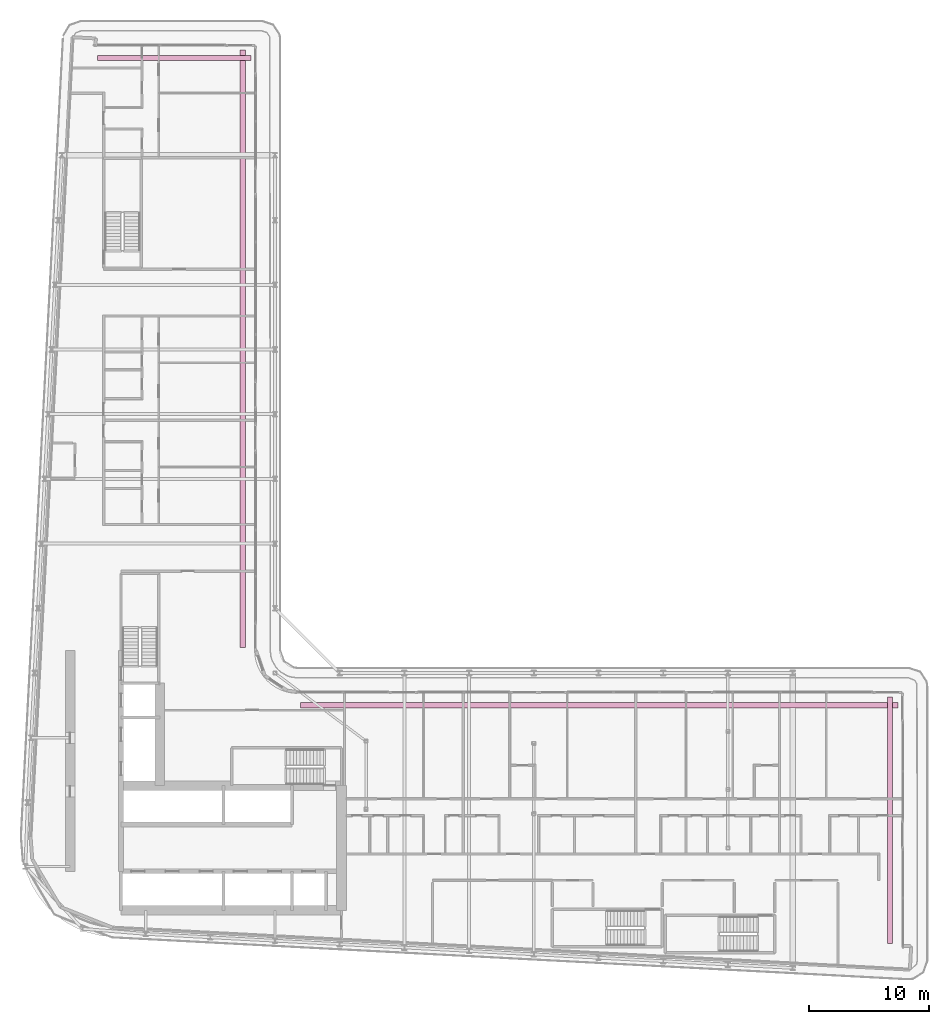
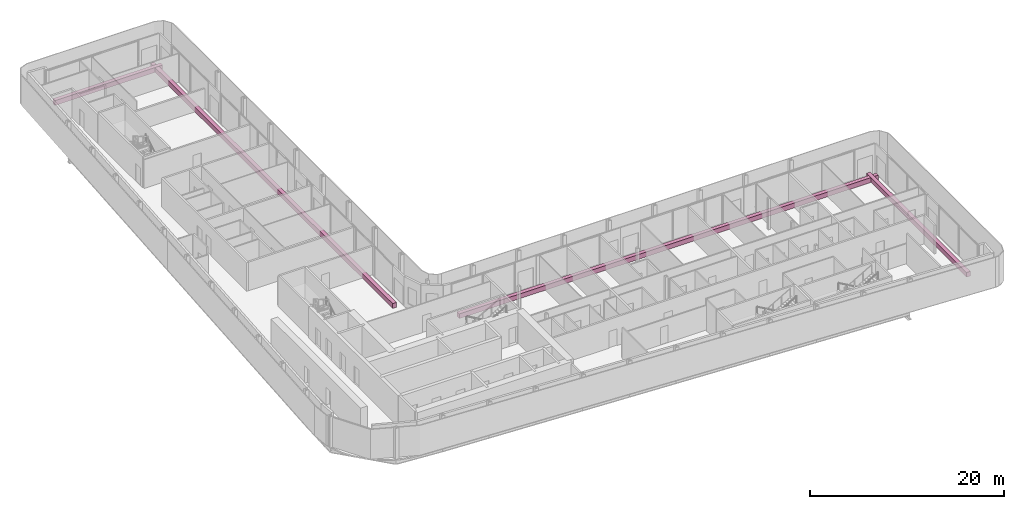
# One storey, part 29 of 29: 4 furniture elements.
"""IFC4 building model written with IfcOpenShell, lengths in metres."""

from ifc_helpers import new_model, si_unit, direction, frame, origin, origin_2d, place, context, subcontext, project, spatial, rectangle, extrude, material, type_object, element, save


model = new_model("IFC4")

# Units and contexts
model_context = context("Model", 3, precision=1e-05, world=origin(), true_north=direction((0.0, 1.0)))
body_context = subcontext(model_context, "Body", "Model", "MODEL_VIEW")
ifc_project = project(units=[si_unit("LENGTHUNIT", "METRE"), si_unit("AREAUNIT", "SQUARE_METRE"), si_unit("VOLUMEUNIT", "CUBIC_METRE"), si_unit("PLANEANGLEUNIT", "RADIAN"), si_unit("MASSUNIT", "GRAM", prefix="KILO")], contexts=[model_context])

# Site, building, storey
site_placement = place(None, origin())
site = spatial("IfcSite", under=ifc_project, at=site_placement, CompositionType="ELEMENT")
building_placement = place(site_placement, origin())
building = spatial("IfcBuilding", under=site, at=building_placement, Name="Kheshtan School and Residences Tower", CompositionType="ELEMENT")
storey_placement = place(building_placement, frame((0.0, 0.0, 179.89990234375)))
storey = spatial("IfcBuildingStorey", under=building, at=storey_placement, Name="L42", CompositionType="ELEMENT", Elevation=179.89990234375)

# Furniture
ifc_material = material(Name="Precast concrete C30/37 in terracotta finish", Category="masonry")
furniture_type = type_object("IfcFurnitureType", Name="Planter trough", AssemblyPlace="NOTDEFINED", PredefinedType="USERDEFINED", material=ifc_material)
furniture_1_placement = place(storey_placement, frame((39.196044921875, 96.925048828125, 0.0), z_axis=(0.0, 0.0, 1.0), x_axis=(1.0, 0.0, 0.0)))
element("IfcFurniture", 1, at=furniture_1_placement, inside=storey, type_object=furniture_type, Name="Planter L42", ObjectType="PLANTER", PredefinedType="USERDEFINED", context=body_context, shape_type="SweptSolid", body=[
    extrude(rectangle(XDim=12.80810546875, YDim=0.449951171875, at=origin_2d()), origin(), (0.0, 0.0, 1.0), 0.60009765625),
])
for number, where, z_axis, x_axis, name in (
    (2, (44.925048828125, 72.6650390625, 0.0), (0.0, 0.0, 1.0), (0.0, -1.0, 0.0), "Planter L42"),
    (3, (74.6650390625, 42.925048828125, 0.0), (0.0, 0.0, 1.0), (1.0, 0.0, 0.0), "Planter L42"),
):
    element("IfcFurniture", number, at=place(storey_placement, frame(where, z_axis=z_axis, x_axis=x_axis)), inside=storey, type_object=furniture_type, Name=name, ObjectType="PLANTER", PredefinedType="USERDEFINED", context=body_context, shape_type="SweptSolid", body=[
        extrude(rectangle(XDim=49.8701171875, YDim=0.449951171875, at=origin_2d()), origin(), (0.0, 0.0, 1.0), 0.60009765625),
    ])
furniture_2_placement = place(storey_placement, frame((98.925048828125, 33.306884765625, 0.0), z_axis=(0.0, 0.0, 1.0), x_axis=(0.0, -1.0, 0.0)))
element("IfcFurniture", 4, at=furniture_2_placement, inside=storey, type_object=furniture_type, Name="Planter L42", ObjectType="PLANTER", PredefinedType="USERDEFINED", context=body_context, shape_type="SweptSolid", body=[
    extrude(rectangle(XDim=20.5859375, YDim=0.449951171875, at=origin_2d()), origin(), (0.0, 0.0, 1.0), 0.60009765625),
])

save(model, "model.ifc")
